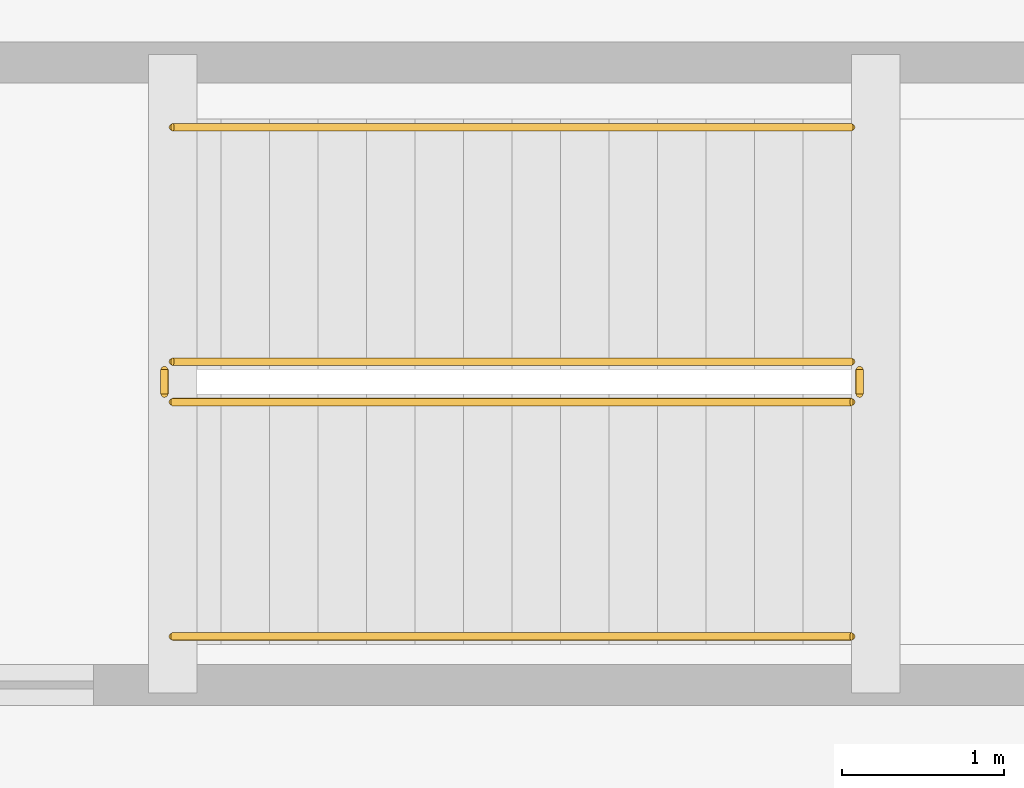
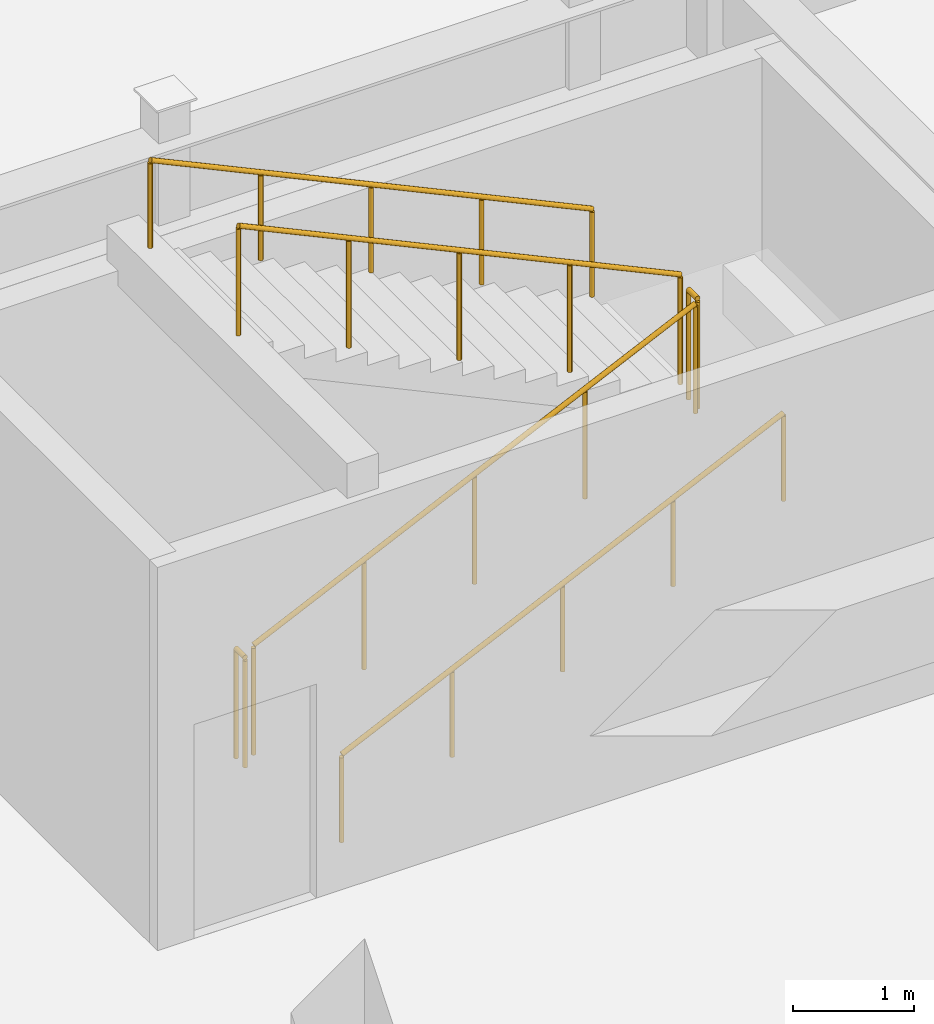
# One storey, part 53 of 63: 6 railings.
"""IFC4 building model written with IfcOpenShell, lengths in metres."""

from ifc_helpers import new_model, si_unit, direction, frame, origin, origin_2d, place, context, subcontext, project, spatial, circle, extrude, material, type_object, element, save


model = new_model("IFC4")

# Units and contexts
model_context = context("Model", 3, precision=1e-05, world=origin(), true_north=direction((0.0, 1.0)))
body_context = subcontext(model_context, "Body", "Model", "MODEL_VIEW")
ifc_project = project(units=[si_unit("LENGTHUNIT", "METRE"), si_unit("AREAUNIT", "SQUARE_METRE"), si_unit("VOLUMEUNIT", "CUBIC_METRE"), si_unit("PLANEANGLEUNIT", "RADIAN"), si_unit("MASSUNIT", "GRAM", prefix="KILO")], contexts=[model_context])

# Site, building, storey
site_placement = place(None, origin())
site = spatial("IfcSite", under=ifc_project, at=site_placement, CompositionType="ELEMENT")
building_placement = place(site_placement, origin())
building = spatial("IfcBuilding", under=site, at=building_placement, Name="Cumbredor Promenade Congress Hotel", CompositionType="ELEMENT")
storey_placement = place(building_placement, frame((0.0, 0.0, -4.199951171875)))
storey = spatial("IfcBuildingStorey", under=building, at=storey_placement, Name="B01", CompositionType="ELEMENT", Elevation=-4.199951171875)

# Railings
ifc_material = material(Name="Brushed stainless steel", Category="steel")
railing_type_1 = type_object("IfcRailingType", Name="Interior Void & Stair Guardrail GR-1100", PredefinedType="GUARDRAIL", material=ifc_material)
railing_1_placement = place(storey_placement, frame((102.75, 46.949951171875, 0.139892578125)))
element("IfcRailing", 1, at=railing_1_placement, inside=storey, type_object=railing_type_1, Name="B01 ST-12 stair guard 1", PredefinedType="GUARDRAIL", context=body_context, shape_type="SweptSolid", body=[
    extrude(circle(Radius=0.02392578125, at=origin_2d()), frame((0.0, 0.0, 1.09619140625), z_axis=(0.906184485727, 0.0, 0.422882581609), x_axis=(0.0, 1.0, 0.0)), (0.0, 0.0, 1.0), 4.634765625),
    extrude(circle(Radius=0.02099609375, at=origin_2d()), origin(), (0.0, 0.0, 1.0), 1.072021484375),
    extrude(circle(Radius=0.02099609375, at=origin_2d()), frame((1.050048828125, 0.0, 0.489990234375)), (0.0, 0.0, 1.0), 1.072021484375),
    extrude(circle(Radius=0.02099609375, at=origin_2d()), frame((2.10009765625, 0.0, 0.97998046875)), (0.0, 0.0, 1.0), 1.072021484375),
    extrude(circle(Radius=0.02099609375, at=origin_2d()), frame((3.14990234375, 0.0, 1.469970703125)), (0.0, 0.0, 1.0), 1.072021484375),
    extrude(circle(Radius=0.02099609375, at=origin_2d()), frame((4.199951171875, 0.0, 1.9599609375)), (0.0, 0.0, 1.0), 1.072021484375),
])
railing_2_placement = place(storey_placement, frame((107.0, 47.0, 2.099853515625)))
element("IfcRailing", 2, at=railing_2_placement, inside=storey, type_object=railing_type_1, Name="B01 ST-12 stair guard 2", PredefinedType="GUARDRAIL", context=body_context, shape_type="SweptSolid", body=[
    extrude(circle(Radius=0.02392578125, at=origin_2d()), frame((0.0, 0.0, 1.09619140625), z_axis=(0.0, 1.0, 0.0), x_axis=(-1.0, 0.0, 0.0)), (0.0, 0.0, 1.0), 0.14990234375),
    extrude(circle(Radius=0.02099609375, at=origin_2d()), origin(), (0.0, 0.0, 1.0), 1.072021484375),
    extrude(circle(Radius=0.02099609375, at=origin_2d()), frame((0.0, 0.14990234375, 0.0)), (0.0, 0.0, 1.0), 1.072021484375),
])
railing_3_placement = place(storey_placement, frame((106.949951171875, 47.199951171875, 2.239990234375)))
element("IfcRailing", 3, at=railing_3_placement, inside=storey, type_object=railing_type_1, Name="B01 ST-12 stair guard 3", PredefinedType="GUARDRAIL", context=body_context, shape_type="SweptSolid", body=[
    extrude(circle(Radius=0.02392578125, at=origin_2d()), frame((0.0, 0.0, 1.09619140625), z_axis=(-0.906184485727, 0.0, 0.422882581609), x_axis=(0.0, -1.0, 0.0)), (0.0, 0.0, 1.0), 4.634765625),
    extrude(circle(Radius=0.02099609375, at=origin_2d()), origin(), (0.0, 0.0, 1.0), 1.072021484375),
    extrude(circle(Radius=0.02099609375, at=origin_2d()), frame((-1.050048828125, 0.0, 0.489990234375)), (0.0, 0.0, 1.0), 1.072021484375),
    extrude(circle(Radius=0.02099609375, at=origin_2d()), frame((-2.10009765625, 0.0, 0.97998046875)), (0.0, 0.0, 1.0), 1.072021484375),
    extrude(circle(Radius=0.02099609375, at=origin_2d()), frame((-3.14990234375, 0.0, 1.469970703125)), (0.0, 0.0, 1.0), 1.072021484375),
    extrude(circle(Radius=0.02099609375, at=origin_2d()), frame((-4.199951171875, 0.0, 1.9599609375)), (0.0, 0.0, 1.0), 1.072021484375),
])
railing_4_placement = place(storey_placement, frame((102.699951171875, 47.0, 0.0)))
element("IfcRailing", 4, at=railing_4_placement, inside=storey, type_object=railing_type_1, Name="B01 ST-12 stair guard 4", PredefinedType="GUARDRAIL", context=body_context, shape_type="SweptSolid", body=[
    extrude(circle(Radius=0.02392578125, at=origin_2d()), frame((0.0, 0.0, 1.09619140625), z_axis=(0.0, 1.0, 0.0), x_axis=(-1.0, 0.0, 0.0)), (0.0, 0.0, 1.0), 0.14990234375),
    extrude(circle(Radius=0.02099609375, at=origin_2d()), origin(), (0.0, 0.0, 1.0), 1.072021484375),
    extrude(circle(Radius=0.02099609375, at=origin_2d()), frame((0.0, 0.14990234375, 0.0)), (0.0, 0.0, 1.0), 1.072021484375),
])
railing_type_2 = type_object("IfcRailingType", Name="Stair Pitch Handrail HR-900", PredefinedType="HANDRAIL", material=ifc_material)
railing_5_placement = place(storey_placement, frame((102.75, 45.5, 0.139892578125)))
element("IfcRailing", 5, at=railing_5_placement, inside=storey, type_object=railing_type_2, Name="B01 ST-12 stair handrail 1", PredefinedType="HANDRAIL", context=body_context, shape_type="SweptSolid", body=[
    extrude(circle(Radius=0.02392578125, at=origin_2d()), frame((0.0, 0.0, 0.8759765625), z_axis=(0.906184485727, 0.0, 0.422882581609), x_axis=(0.0, 1.0, 0.0)), (0.0, 0.0, 1.0), 4.634765625),
    extrude(circle(Radius=0.02099609375, at=origin_2d()), origin(), (0.0, 0.0, 1.0), 0.851806640625),
    extrude(circle(Radius=0.02099609375, at=origin_2d()), frame((1.050048828125, 0.0, 0.489990234375)), (0.0, 0.0, 1.0), 0.851806640625),
    extrude(circle(Radius=0.02099609375, at=origin_2d()), frame((2.10009765625, 0.0, 0.97998046875)), (0.0, 0.0, 1.0), 0.851806640625),
    extrude(circle(Radius=0.02099609375, at=origin_2d()), frame((3.14990234375, 0.0, 1.469970703125)), (0.0, 0.0, 1.0), 0.851806640625),
    extrude(circle(Radius=0.02099609375, at=origin_2d()), frame((4.199951171875, 0.0, 1.9599609375)), (0.0, 0.0, 1.0), 0.851806640625),
])
railing_6_placement = place(storey_placement, frame((106.949951171875, 48.64990234375, 2.239990234375)))
element("IfcRailing", 6, at=railing_6_placement, inside=storey, type_object=railing_type_2, Name="B01 ST-12 stair handrail 2", PredefinedType="HANDRAIL", context=body_context, shape_type="SweptSolid", body=[
    extrude(circle(Radius=0.02392578125, at=origin_2d()), frame((0.0, 0.0, 0.8759765625), z_axis=(-0.906184485727, 0.0, 0.422882581609), x_axis=(0.0, -1.0, 0.0)), (0.0, 0.0, 1.0), 4.634765625),
    extrude(circle(Radius=0.02099609375, at=origin_2d()), origin(), (0.0, 0.0, 1.0), 0.851806640625),
    extrude(circle(Radius=0.02099609375, at=origin_2d()), frame((-1.050048828125, 0.0, 0.489990234375)), (0.0, 0.0, 1.0), 0.851806640625),
    extrude(circle(Radius=0.02099609375, at=origin_2d()), frame((-2.10009765625, 0.0, 0.97998046875)), (0.0, 0.0, 1.0), 0.851806640625),
    extrude(circle(Radius=0.02099609375, at=origin_2d()), frame((-3.14990234375, 0.0, 1.469970703125)), (0.0, 0.0, 1.0), 0.851806640625),
    extrude(circle(Radius=0.02099609375, at=origin_2d()), frame((-4.199951171875, 0.0, 1.9599609375)), (0.0, 0.0, 1.0), 0.851806640625),
])

save(model, "model.ifc")
